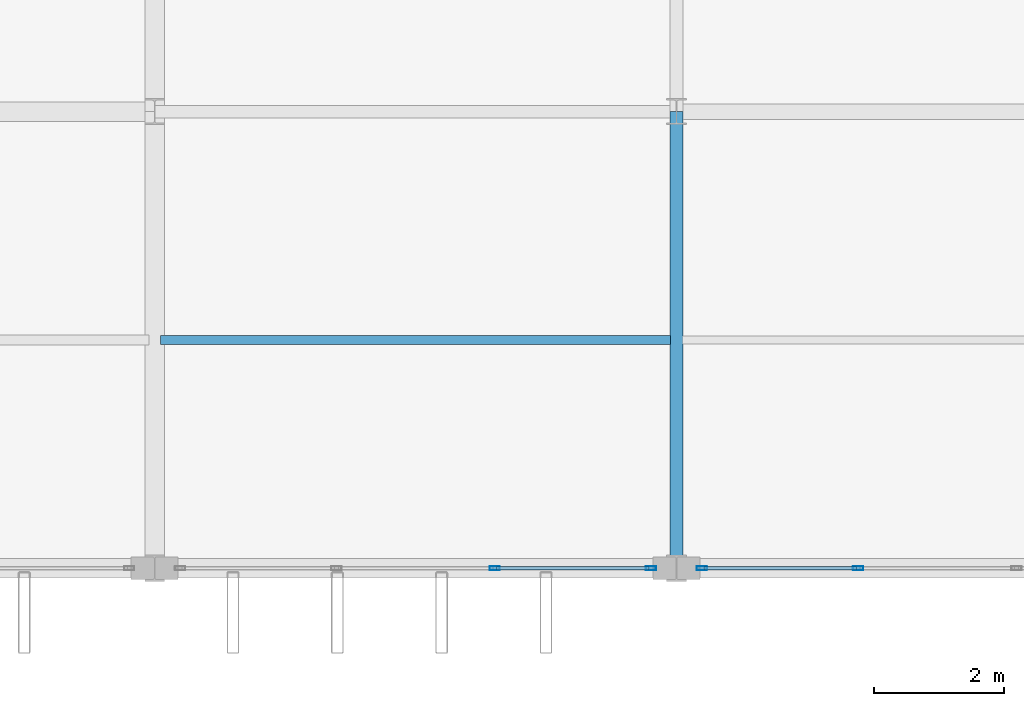
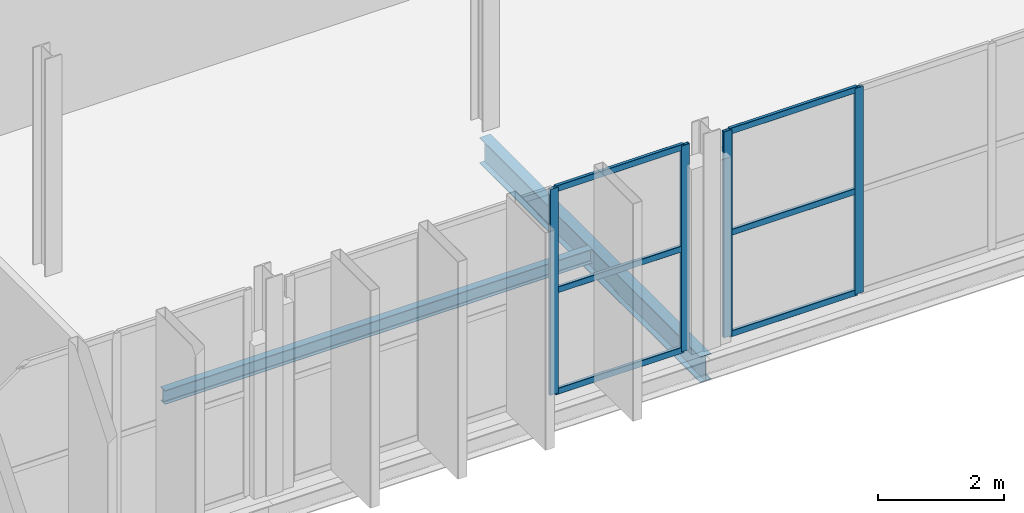
# One storey, part 28 of 101: 10 members, 2 beams, 2 elements without a shape of their own.
"""IFC4 building model written with IfcOpenShell, lengths in metres."""

from ifc_helpers import new_model, si_unit, direction, frame, origin, origin_2d, place, context, subcontext, project, spatial, hollow_rectangle, i_section, extrude, material, layer, layer_set, material_profile, profile_set, type_object, element, aggregate, save


model = new_model("IFC4")

# Units and contexts
model_context = context("Model", 3, precision=1e-05, world=origin(), true_north=direction((0.0, 1.0)))
body_context = subcontext(model_context, "Body", "Model", "MODEL_VIEW")
ifc_project = project(units=[si_unit("LENGTHUNIT", "METRE"), si_unit("AREAUNIT", "SQUARE_METRE"), si_unit("VOLUMEUNIT", "CUBIC_METRE"), si_unit("PLANEANGLEUNIT", "RADIAN"), si_unit("MASSUNIT", "GRAM", prefix="KILO")], contexts=[model_context])

# Site, building, storey
site_placement = place(None, origin())
site = spatial("IfcSite", under=ifc_project, at=site_placement, CompositionType="ELEMENT")
building_placement = place(site_placement, origin())
building = spatial("IfcBuilding", under=site, at=building_placement, Name="Vekula Escarpment Museum", CompositionType="ELEMENT")
storey_placement = place(building_placement, frame((0.0, 0.0, 18.0)))
storey = spatial("IfcBuildingStorey", under=building, at=storey_placement, Name="L04", CompositionType="ELEMENT", Elevation=18.0)

# Beams
ifc_material_1 = material(Name="Steel S355", Category="steel")
ifc_material_profile_1 = material_profile(ifc_material_1, i_section(OverallWidth=0.199951171875, OverallDepth=0.5, WebThickness=0.01025390625, FlangeThickness=0.01611328125, FilletRadius=0.02099609375, at=origin_2d()), Name="IPE 500")
ifc_profile_set_1 = profile_set([ifc_material_profile_1], Name="Steel S355")
beam_type_1 = type_object("IfcBeamType", Name="BM-GIRD-IPE500", PredefinedType="BEAM", material=ifc_profile_set_1)
beam_1_placement = place(storey_placement, frame((94.0, 45.60009765625, -0.489990234375), z_axis=(0.0, 1.0, 0.0), x_axis=(-1.0, 0.0, 0.0)))
element("IfcBeam", 1, at=beam_1_placement, inside=storey, type_object=beam_type_1, Name="Beam Y L04 1891", PredefinedType="BEAM", context=body_context, shape_type="SweptSolid", body=[
    extrude(i_section(OverallWidth=0.199951171875, OverallDepth=0.5, WebThickness=0.01025390625, FlangeThickness=0.01611328125, FilletRadius=0.02099609375, at=origin_2d()), origin(), (0.0, 0.0, 1.0), 7.0),
])
ifc_material_2 = material(Name="Steel S355", Category="steel")
ifc_material_profile_2 = material_profile(ifc_material_2, i_section(OverallWidth=0.135009765625, OverallDepth=0.27001953125, WebThickness=0.006591796875, FlangeThickness=0.01025390625, FilletRadius=0.014892578125, at=origin_2d()), Name="IPE 270")
ifc_profile_set_2 = profile_set([ifc_material_profile_2], Name="Steel S355")
beam_type_2 = type_object("IfcBeamType", Name="BM-JST-IPE270", PredefinedType="JOIST", material=ifc_profile_set_2)
beam_2_placement = place(storey_placement, frame((86.090087890625, 49.10009765625, -0.375), z_axis=(1.0, 0.0, 0.0), x_axis=(0.0, 1.0, 0.0)))
element("IfcBeam", 2, at=beam_2_placement, inside=storey, type_object=beam_type_2, Name="Secondary Joist L04 1212", PredefinedType="JOIST", context=body_context, shape_type="SweptSolid", body=[
    extrude(i_section(OverallWidth=0.135009765625, OverallDepth=0.27001953125, WebThickness=0.006591796875, FlangeThickness=0.01025390625, FilletRadius=0.014892578125, at=origin_2d()), origin(), (0.0, 0.0, 1.0), 7.81982421875),
])

# Curtain wall, members
ifc_material_3 = material(Name="Aluminium thermally broken framing", Category="aluminium")
ifc_layer_1 = layer(ifc_material_3, 0.199951171875)
ifc_layer_set_1 = layer_set([ifc_layer_1], Name="Aluminium thermally broken framing")
curtain_wall_type_1 = type_object("IfcCurtainWallType", Name="CW-SYS-04", PredefinedType="NOTDEFINED", material=ifc_layer_set_1)
curtain_wall_1_placement = place(storey_placement, origin())
curtain_wall_1 = element("IfcCurtainWall", 3, at=curtain_wall_1_placement, inside=storey, type_object=curtain_wall_type_1, Name="Curtain Wall CW-L04-134", PredefinedType="NOTDEFINED")
ifc_material_4 = material(Name="Aluminium anodized mullion", Category="aluminium")
ifc_material_profile_3 = material_profile(ifc_material_4, hollow_rectangle(XDim=0.06005859375, YDim=0.159912109375, WallThickness=0.00390625, InnerFilletRadius=0.00390625, OuterFilletRadius=0.008056640625, at=origin_2d()), Name="ALU 160x60x4")
ifc_profile_set_3 = profile_set([ifc_material_profile_3], Name="Aluminium anodized mullion")
member_type_1 = type_object("IfcMemberType", Name="CW-MUL-160", PredefinedType="MULLION", material=ifc_profile_set_3)
member_1_placement = place(storey_placement, frame((91.21337890625, 45.60009765625, 0.0), z_axis=(0.0, 0.0, 1.0), x_axis=(0.0, 1.0, 0.0)))
member_1 = element("IfcMember", 4, at=member_1_placement, type_object=member_type_1, Name="CW-04 mullion 3", PredefinedType="MULLION", context=body_context, shape_type="SweptSolid", body=[
    extrude(hollow_rectangle(XDim=0.06005859375, YDim=0.159912109375, WallThickness=0.00390625, InnerFilletRadius=0.00390625, OuterFilletRadius=0.008056640625, at=origin_2d()), origin(), (0.0, 0.0, 1.0), 3.97998046875),
])
member_2_placement = place(storey_placement, frame((93.610107421875, 45.60009765625, 0.0), z_axis=(0.0, 0.0, 1.0), x_axis=(0.0, 1.0, 0.0)))
member_2 = element("IfcMember", 5, at=member_2_placement, type_object=member_type_1, Name="CW-04 mullion 4", PredefinedType="MULLION", context=body_context, shape_type="SweptSolid", body=[
    extrude(hollow_rectangle(XDim=0.06005859375, YDim=0.159912109375, WallThickness=0.00390625, InnerFilletRadius=0.00390625, OuterFilletRadius=0.008056640625, at=origin_2d()), origin(), (0.0, 0.0, 1.0), 3.97998046875),
])

ifc_material_5 = material(Name="Aluminium thermally broken framing", Category="aluminium")
ifc_layer_2 = layer(ifc_material_5, 0.159912109375)
ifc_layer_set_2 = layer_set([ifc_layer_2], Name="Aluminium thermally broken framing")
curtain_wall_type_2 = type_object("IfcCurtainWallType", Name="CW-SYS-05", PredefinedType="NOTDEFINED", material=ifc_layer_set_2)
curtain_wall_2_placement = place(storey_placement, origin())
curtain_wall_2 = element("IfcCurtainWall", 6, at=curtain_wall_2_placement, inside=storey, type_object=curtain_wall_type_2, Name="Curtain Wall CW-L04-135", PredefinedType="NOTDEFINED")
member_3_placement = place(storey_placement, frame((94.389892578125, 45.60009765625, 0.0), z_axis=(0.0, 0.0, 1.0), x_axis=(0.0, 1.0, 0.0)))
member_3 = element("IfcMember", 7, at=member_3_placement, type_object=member_type_1, Name="CW-05 mullion 1", PredefinedType="MULLION", context=body_context, shape_type="SweptSolid", body=[
    extrude(hollow_rectangle(XDim=0.06005859375, YDim=0.159912109375, WallThickness=0.00390625, InnerFilletRadius=0.00390625, OuterFilletRadius=0.008056640625, at=origin_2d()), origin(), (0.0, 0.0, 1.0), 3.97998046875),
])
member_4_placement = place(storey_placement, frame((96.78662109375, 45.60009765625, 0.0), z_axis=(0.0, 0.0, 1.0), x_axis=(0.0, 1.0, 0.0)))
member_4 = element("IfcMember", 8, at=member_4_placement, type_object=member_type_1, Name="CW-05 mullion 2", PredefinedType="MULLION", context=body_context, shape_type="SweptSolid", body=[
    extrude(hollow_rectangle(XDim=0.06005859375, YDim=0.159912109375, WallThickness=0.00390625, InnerFilletRadius=0.00390625, OuterFilletRadius=0.008056640625, at=origin_2d()), origin(), (0.0, 0.0, 1.0), 3.97998046875),
])

# Member
ifc_material_6 = material(Name="Aluminium anodized transom", Category="aluminium")
ifc_material_profile_4 = material_profile(ifc_material_6, hollow_rectangle(XDim=0.06005859375, YDim=0.1201171875, WallThickness=0.00390625, InnerFilletRadius=0.00390625, OuterFilletRadius=0.008056640625, at=origin_2d()), Name="ALU 120x60x4")
ifc_profile_set_4 = profile_set([ifc_material_profile_4], Name="Aluminium anodized transom")
member_type_2 = type_object("IfcMemberType", Name="CW-TRN-120", PredefinedType="USERDEFINED", material=ifc_profile_set_4)
member_5_placement = place(storey_placement, frame((91.243408203125, 45.60009765625, 0.030029296875), z_axis=(1.0, 0.0, 0.0), x_axis=(0.0, 1.0, 0.0)))
member_5 = element("IfcMember", 9, at=member_5_placement, type_object=member_type_2, Name="CW-04 transom 3.1", ObjectType="TRANSOM", PredefinedType="USERDEFINED", context=body_context, shape_type="SweptSolid", body=[
    extrude(hollow_rectangle(XDim=0.06005859375, YDim=0.1201171875, WallThickness=0.00390625, InnerFilletRadius=0.00390625, OuterFilletRadius=0.008056640625, at=origin_2d()), origin(), (0.0, 0.0, 1.0), 2.336669921875),
])

member_6_placement = place(storey_placement, frame((91.243408203125, 45.60009765625, 1.989990234375), z_axis=(1.0, 0.0, 0.0), x_axis=(0.0, 1.0, 0.0)))
member_6 = element("IfcMember", 10, at=member_6_placement, type_object=member_type_2, Name="CW-04 transom 3.2", ObjectType="TRANSOM", PredefinedType="USERDEFINED", context=body_context, shape_type="SweptSolid", body=[
    extrude(hollow_rectangle(XDim=0.06005859375, YDim=0.1201171875, WallThickness=0.00390625, InnerFilletRadius=0.00390625, OuterFilletRadius=0.008056640625, at=origin_2d()), origin(), (0.0, 0.0, 1.0), 2.336669921875),
])

member_7_placement = place(storey_placement, frame((91.243408203125, 45.60009765625, 3.949951171875), z_axis=(1.0, 0.0, 0.0), x_axis=(0.0, 1.0, 0.0)))
member_7 = element("IfcMember", 11, at=member_7_placement, type_object=member_type_2, Name="CW-04 transom 3.3", ObjectType="TRANSOM", PredefinedType="USERDEFINED", context=body_context, shape_type="SweptSolid", body=[
    extrude(hollow_rectangle(XDim=0.06005859375, YDim=0.1201171875, WallThickness=0.00390625, InnerFilletRadius=0.00390625, OuterFilletRadius=0.008056640625, at=origin_2d()), origin(), (0.0, 0.0, 1.0), 2.336669921875),
])

aggregate(curtain_wall_1, [member_1, member_2, member_5, member_6, member_7])

member_8_placement = place(storey_placement, frame((94.419921875, 45.60009765625, 0.030029296875), z_axis=(1.0, 0.0, 0.0), x_axis=(0.0, 1.0, 0.0)))
member_8 = element("IfcMember", 12, at=member_8_placement, type_object=member_type_2, Name="CW-05 transom 1.1", ObjectType="TRANSOM", PredefinedType="USERDEFINED", context=body_context, shape_type="SweptSolid", body=[
    extrude(hollow_rectangle(XDim=0.06005859375, YDim=0.1201171875, WallThickness=0.00390625, InnerFilletRadius=0.00390625, OuterFilletRadius=0.008056640625, at=origin_2d()), origin(), (0.0, 0.0, 1.0), 2.336669921875),
])

member_9_placement = place(storey_placement, frame((94.419921875, 45.60009765625, 1.989990234375), z_axis=(1.0, 0.0, 0.0), x_axis=(0.0, 1.0, 0.0)))
member_9 = element("IfcMember", 13, at=member_9_placement, type_object=member_type_2, Name="CW-05 transom 1.2", ObjectType="TRANSOM", PredefinedType="USERDEFINED", context=body_context, shape_type="SweptSolid", body=[
    extrude(hollow_rectangle(XDim=0.06005859375, YDim=0.1201171875, WallThickness=0.00390625, InnerFilletRadius=0.00390625, OuterFilletRadius=0.008056640625, at=origin_2d()), origin(), (0.0, 0.0, 1.0), 2.336669921875),
])

member_10_placement = place(storey_placement, frame((94.419921875, 45.60009765625, 3.949951171875), z_axis=(1.0, 0.0, 0.0), x_axis=(0.0, 1.0, 0.0)))
member_10 = element("IfcMember", 14, at=member_10_placement, type_object=member_type_2, Name="CW-05 transom 1.3", ObjectType="TRANSOM", PredefinedType="USERDEFINED", context=body_context, shape_type="SweptSolid", body=[
    extrude(hollow_rectangle(XDim=0.06005859375, YDim=0.1201171875, WallThickness=0.00390625, InnerFilletRadius=0.00390625, OuterFilletRadius=0.008056640625, at=origin_2d()), origin(), (0.0, 0.0, 1.0), 2.336669921875),
])

aggregate(curtain_wall_2, [member_3, member_4, member_8, member_9, member_10])

save(model, "model.ifc")
